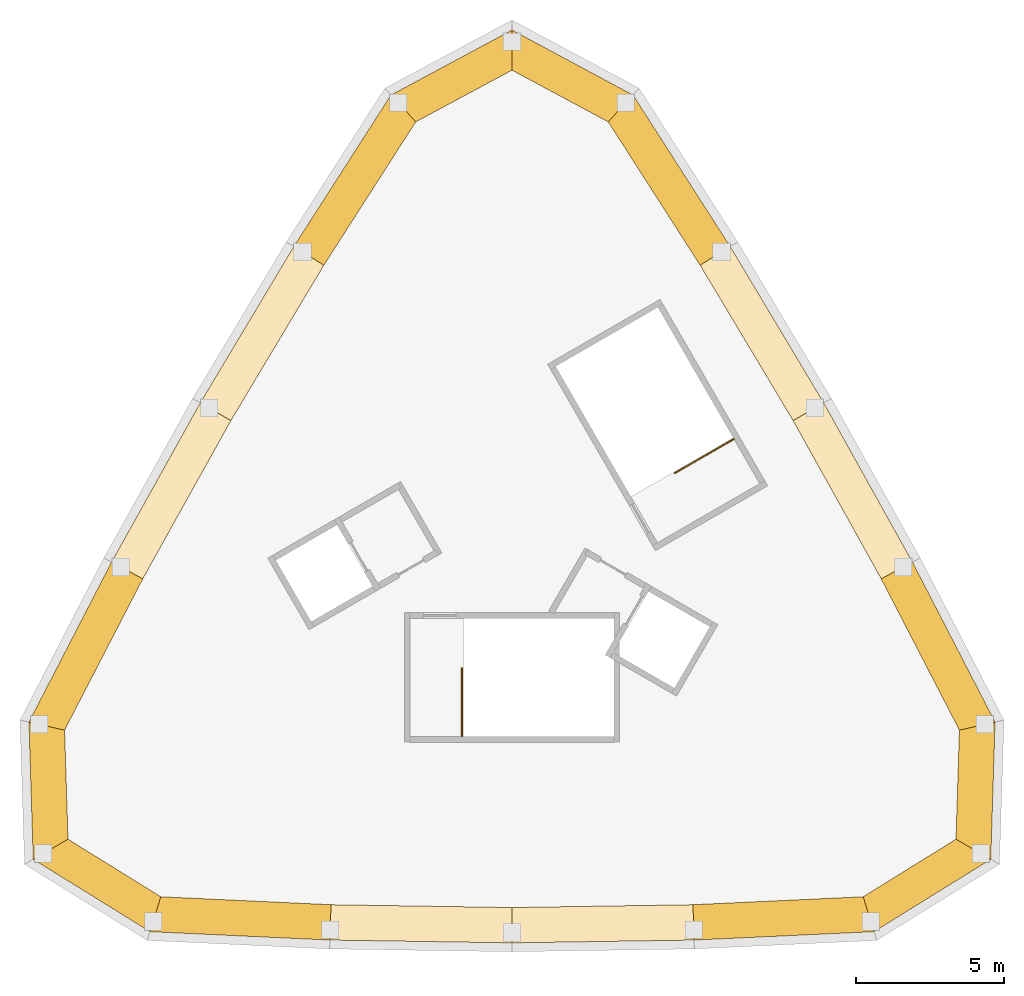
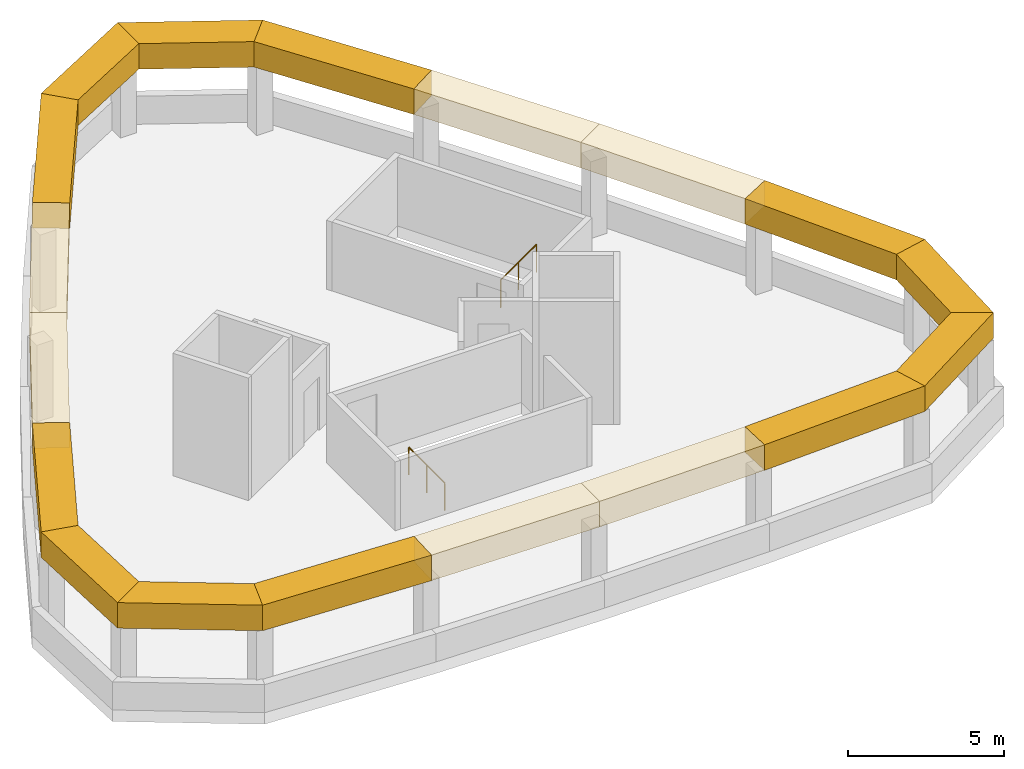
# One storey, part 2 of 2: 18 coverings, 2 railings.
"""IFC4 building model written with IfcOpenShell, lengths in metres."""

from ifc_helpers import new_model, si_unit, direction, frame, origin, origin_2d, place, context, subcontext, project, spatial, polyline, circle, outline, extrude, material, layer, layer_set, type_object, element, save


model = new_model("IFC4")

# Units and contexts
model_context = context("Model", 3, precision=1e-05, world=origin(), true_north=direction((0.0, 1.0)))
body_context = subcontext(model_context, "Body", "Model", "MODEL_VIEW")
ifc_project = project(units=[si_unit("LENGTHUNIT", "METRE"), si_unit("AREAUNIT", "SQUARE_METRE"), si_unit("VOLUMEUNIT", "CUBIC_METRE"), si_unit("PLANEANGLEUNIT", "RADIAN"), si_unit("MASSUNIT", "GRAM", prefix="KILO")], contexts=[model_context])

# Site, building, storey
site_placement = place(None, origin())
site = spatial("IfcSite", under=ifc_project, at=site_placement, CompositionType="ELEMENT")
building_placement = place(site_placement, origin())
building = spatial("IfcBuilding", under=site, at=building_placement, Name="Entoto Arch Interchange Tower", CompositionType="ELEMENT")
storey_placement = place(building_placement, frame((0.0, 0.0, 362.89990234375)))
storey = spatial("IfcBuildingStorey", under=building, at=storey_placement, Name="Roof", CompositionType="ELEMENT", Elevation=362.89990234375)

# Coverings
ifc_material_1 = material(Name="Board-marked precast concrete C50/60", Category="concrete")
ifc_layer = layer(ifc_material_1, 1.199951171875)
ifc_layer_set = layer_set([ifc_layer], Name="Board-marked precast concrete C50/60")
covering_type = type_object("IfcCoveringType", Name="CROWN FRAME CORNICE PRECAST 1200x1000", PredefinedType="CLADDING", material=ifc_layer_set)
covering_1_placement = place(storey_placement, frame((0.0, 0.0, 3.0)))
element("IfcCovering", 1, at=covering_1_placement, inside=storey, type_object=covering_type, Name="Crown frame cornice 1", PredefinedType="CLADDING", context=body_context, shape_type="SweptSolid", body=[
    extrude(outline(polyline([(-12.26806640625, -11.820068359375), (-16.22509765625, -9.367919921875), (-15.0458984375, -8.68701171875), (-11.90087890625, -10.635986328125), (-12.26806640625, -11.820068359375)])), origin(), (0.0, 0.0, 1.0), 1.0),
])
covering_2_placement = place(storey_placement, frame((0.0, 0.0, 3.0)))
element("IfcCovering", 2, at=covering_2_placement, inside=storey, type_object=covering_type, Name="Crown frame cornice 2", PredefinedType="CLADDING", context=body_context, shape_type="SweptSolid", body=[
    extrude(outline(polyline([(-16.22509765625, -9.367919921875), (-16.37109375, -4.716064453125), (-15.162109375, -4.989990234375), (-15.0458984375, -8.68701171875), (-16.22509765625, -9.367919921875)])), origin(), (0.0, 0.0, 1.0), 1.0),
])
covering_3_placement = place(storey_placement, frame((0.0, 0.0, 3.0)))
element("IfcCovering", 3, at=covering_3_placement, inside=storey, type_object=covering_type, Name="Crown frame cornice 3", PredefinedType="CLADDING", context=body_context, shape_type="SweptSolid", body=[
    extrude(outline(polyline([(-16.37109375, -4.716064453125), (-13.570068359375, 0.705078125), (-12.511962890625, 0.137939453125), (-15.162109375, -4.989990234375), (-16.37109375, -4.716064453125)])), origin(), (0.0, 0.0, 1.0), 1.0),
])
covering_4_placement = place(storey_placement, frame((0.0, 0.0, 3.0)))
element("IfcCovering", 4, at=covering_4_placement, inside=storey, type_object=covering_type, Name="Crown frame cornice 4", PredefinedType="CLADDING", context=body_context, shape_type="SweptSolid", body=[
    extrude(outline(polyline([(-13.570068359375, 0.705078125), (-10.56494140625, 6.10009765625), (-9.52587890625, 5.5), (-12.511962890625, 0.137939453125), (-13.570068359375, 0.705078125)])), origin(), (0.0, 0.0, 1.0), 1.0),
])
covering_5_placement = place(storey_placement, frame((0.0, 0.0, 3.0)))
element("IfcCovering", 5, at=covering_5_placement, inside=storey, type_object=covering_type, Name="Crown frame cornice 5", PredefinedType="CLADDING", context=body_context, shape_type="SweptSolid", body=[
    extrude(outline(polyline([(-10.56494140625, 6.10009765625), (-7.39501953125, 11.39892578125), (-6.375, 10.76708984375), (-9.52587890625, 5.5), (-10.56494140625, 6.10009765625)])), origin(), (0.0, 0.0, 1.0), 1.0),
])
covering_6_placement = place(storey_placement, frame((0.0, 0.0, 3.0)))
element("IfcCovering", 6, at=covering_6_placement, inside=storey, type_object=covering_type, Name="Crown frame cornice 6", PredefinedType="CLADDING", context=body_context, shape_type="SweptSolid", body=[
    extrude(outline(polyline([(-7.39501953125, 11.39892578125), (-4.10205078125, 16.533935546875), (-3.260009765625, 15.6240234375), (-6.375, 10.76708984375), (-7.39501953125, 11.39892578125)])), origin(), (0.0, 0.0, 1.0), 1.0),
])
covering_7_placement = place(storey_placement, frame((0.0, 0.0, 3.0)))
element("IfcCovering", 7, at=covering_7_placement, inside=storey, type_object=covering_type, Name="Crown frame cornice 7", PredefinedType="CLADDING", context=body_context, shape_type="SweptSolid", body=[
    extrude(outline(polyline([(-4.10205078125, 16.533935546875), (0.0, 18.736083984375), (0.0, 17.3740234375), (-3.260009765625, 15.6240234375), (-4.10205078125, 16.533935546875)])), origin(), (0.0, 0.0, 1.0), 1.0),
])
covering_8_placement = place(storey_placement, frame((0.0, 0.0, 3.0)))
element("IfcCovering", 8, at=covering_8_placement, inside=storey, type_object=covering_type, Name="Crown frame cornice 8", PredefinedType="CLADDING", context=body_context, shape_type="SweptSolid", body=[
    extrude(outline(polyline([(0.0, 18.736083984375), (4.10205078125, 16.533935546875), (3.260009765625, 15.6240234375), (0.0, 17.3740234375), (0.0, 18.736083984375)])), origin(), (0.0, 0.0, 1.0), 1.0),
])
covering_9_placement = place(storey_placement, frame((0.0, 0.0, 3.0)))
element("IfcCovering", 9, at=covering_9_placement, inside=storey, type_object=covering_type, Name="Crown frame cornice 9", PredefinedType="CLADDING", context=body_context, shape_type="SweptSolid", body=[
    extrude(outline(polyline([(4.10205078125, 16.533935546875), (7.39501953125, 11.39892578125), (6.375, 10.76708984375), (3.260009765625, 15.6240234375), (4.10205078125, 16.533935546875)])), origin(), (0.0, 0.0, 1.0), 1.0),
])
covering_10_placement = place(storey_placement, frame((0.0, 0.0, 3.0)))
element("IfcCovering", 10, at=covering_10_placement, inside=storey, type_object=covering_type, Name="Crown frame cornice 10", PredefinedType="CLADDING", context=body_context, shape_type="SweptSolid", body=[
    extrude(outline(polyline([(7.39501953125, 11.39892578125), (10.56494140625, 6.10009765625), (9.52587890625, 5.5), (6.375, 10.76708984375), (7.39501953125, 11.39892578125)])), origin(), (0.0, 0.0, 1.0), 1.0),
])
covering_11_placement = place(storey_placement, frame((0.0, 0.0, 3.0)))
element("IfcCovering", 11, at=covering_11_placement, inside=storey, type_object=covering_type, Name="Crown frame cornice 11", PredefinedType="CLADDING", context=body_context, shape_type="SweptSolid", body=[
    extrude(outline(polyline([(10.56494140625, 6.10009765625), (13.570068359375, 0.705078125), (12.511962890625, 0.137939453125), (9.52587890625, 5.5), (10.56494140625, 6.10009765625)])), origin(), (0.0, 0.0, 1.0), 1.0),
])
covering_12_placement = place(storey_placement, frame((0.0, 0.0, 3.0)))
element("IfcCovering", 12, at=covering_12_placement, inside=storey, type_object=covering_type, Name="Crown frame cornice 12", PredefinedType="CLADDING", context=body_context, shape_type="SweptSolid", body=[
    extrude(outline(polyline([(13.570068359375, 0.705078125), (16.37109375, -4.716064453125), (15.162109375, -4.989990234375), (12.511962890625, 0.137939453125), (13.570068359375, 0.705078125)])), origin(), (0.0, 0.0, 1.0), 1.0),
])
covering_13_placement = place(storey_placement, frame((0.0, 0.0, 3.0)))
element("IfcCovering", 13, at=covering_13_placement, inside=storey, type_object=covering_type, Name="Crown frame cornice 13", PredefinedType="CLADDING", context=body_context, shape_type="SweptSolid", body=[
    extrude(outline(polyline([(16.37109375, -4.716064453125), (16.22509765625, -9.367919921875), (15.0458984375, -8.68701171875), (15.162109375, -4.989990234375), (16.37109375, -4.716064453125)])), origin(), (0.0, 0.0, 1.0), 1.0),
])
covering_14_placement = place(storey_placement, frame((0.0, 0.0, 3.0)))
element("IfcCovering", 14, at=covering_14_placement, inside=storey, type_object=covering_type, Name="Crown frame cornice 14", PredefinedType="CLADDING", context=body_context, shape_type="SweptSolid", body=[
    extrude(outline(polyline([(16.22509765625, -9.367919921875), (12.26806640625, -11.820068359375), (11.90087890625, -10.635986328125), (15.0458984375, -8.68701171875), (16.22509765625, -9.367919921875)])), origin(), (0.0, 0.0, 1.0), 1.0),
])
covering_15_placement = place(storey_placement, frame((0.0, 0.0, 3.0)))
element("IfcCovering", 15, at=covering_15_placement, inside=storey, type_object=covering_type, Name="Crown frame cornice 15", PredefinedType="CLADDING", context=body_context, shape_type="SweptSolid", body=[
    extrude(outline(polyline([(12.26806640625, -11.820068359375), (6.1708984375, -12.10400390625), (6.133056640625, -10.905029296875), (11.90087890625, -10.635986328125), (12.26806640625, -11.820068359375)])), origin(), (0.0, 0.0, 1.0), 1.0),
])
covering_16_placement = place(storey_placement, frame((0.0, 0.0, 3.0)))
element("IfcCovering", 16, at=covering_16_placement, inside=storey, type_object=covering_type, Name="Crown frame cornice 16", PredefinedType="CLADDING", context=body_context, shape_type="SweptSolid", body=[
    extrude(outline(polyline([(6.1708984375, -12.10400390625), (0.0, -12.199951171875), (0.0, -11.0), (6.133056640625, -10.905029296875), (6.1708984375, -12.10400390625)])), origin(), (0.0, 0.0, 1.0), 1.0),
])
covering_17_placement = place(storey_placement, frame((0.0, 0.0, 3.0)))
element("IfcCovering", 17, at=covering_17_placement, inside=storey, type_object=covering_type, Name="Crown frame cornice 17", PredefinedType="CLADDING", context=body_context, shape_type="SweptSolid", body=[
    extrude(outline(polyline([(0.0, -12.199951171875), (-6.1708984375, -12.10400390625), (-6.133056640625, -10.905029296875), (0.0, -11.0), (0.0, -12.199951171875)])), origin(), (0.0, 0.0, 1.0), 1.0),
])
covering_18_placement = place(storey_placement, frame((0.0, 0.0, 3.0)))
element("IfcCovering", 18, at=covering_18_placement, inside=storey, type_object=covering_type, Name="Crown frame cornice 18", PredefinedType="CLADDING", context=body_context, shape_type="SweptSolid", body=[
    extrude(outline(polyline([(-6.1708984375, -12.10400390625), (-12.26806640625, -11.820068359375), (-11.90087890625, -10.635986328125), (-6.133056640625, -10.905029296875), (-6.1708984375, -12.10400390625)])), origin(), (0.0, 0.0, 1.0), 1.0),
])

# Railings
ifc_material_2 = material(Name="Stainless steel 1.4301", Category="steel")
railing_type = type_object("IfcRailingType", Name="STAIR GUARD 1100 STEEL", PredefinedType="GUARDRAIL", material=ifc_material_2)
railing_1_placement = place(storey_placement, frame((-1.699951171875, -5.199951171875, 0.0)))
element("IfcRailing", 19, at=railing_1_placement, inside=storey, type_object=railing_type, Name="Roof ST-S top well guard 1", PredefinedType="GUARDRAIL", context=body_context, shape_type="SweptSolid", body=[
    extrude(circle(Radius=0.02392578125, at=origin_2d()), frame((0.0, 0.0, 1.076171875), z_axis=(0.0, 1.0, 0.0), x_axis=(-1.0, 0.0, 0.0)), (0.0, 0.0, 1.0), 2.300048828125),
    extrude(circle(Radius=0.02099609375, at=origin_2d()), origin(), (0.0, 0.0, 1.0), 1.052001953125),
    extrude(circle(Radius=0.02099609375, at=origin_2d()), frame((0.0, 1.14990234375, 0.0)), (0.0, 0.0, 1.0), 1.052001953125),
    extrude(circle(Radius=0.02099609375, at=origin_2d()), frame((0.0, 2.300048828125, 0.0)), (0.0, 0.0, 1.0), 1.052001953125),
])
railing_2_placement = place(storey_placement, frame((7.518310546875, 4.877685546875, 0.0)))
element("IfcRailing", 20, at=railing_2_placement, inside=storey, type_object=railing_type, Name="Roof ST-NE top well guard 1", PredefinedType="GUARDRAIL", context=body_context, shape_type="SweptSolid", body=[
    extrude(circle(Radius=0.02392578125, at=origin_2d()), frame((0.0, 0.0, 1.076171875), z_axis=(-0.86602648383, -0.499998129301, 0.0), x_axis=(0.499998129301, -0.86602648383, 0.0)), (0.0, 0.0, 1.0), 2.2998046875),
    extrude(circle(Radius=0.02099609375, at=origin_2d()), origin(), (0.0, 0.0, 1.0), 1.052001953125),
    extrude(circle(Radius=0.02099609375, at=origin_2d()), frame((-0.995849609375, -0.574951171875, 0.0)), (0.0, 0.0, 1.0), 1.052001953125),
    extrude(circle(Radius=0.02099609375, at=origin_2d()), frame((-1.99169921875, -1.14990234375, 0.0)), (0.0, 0.0, 1.0), 1.052001953125),
])

save(model, "model.ifc")
